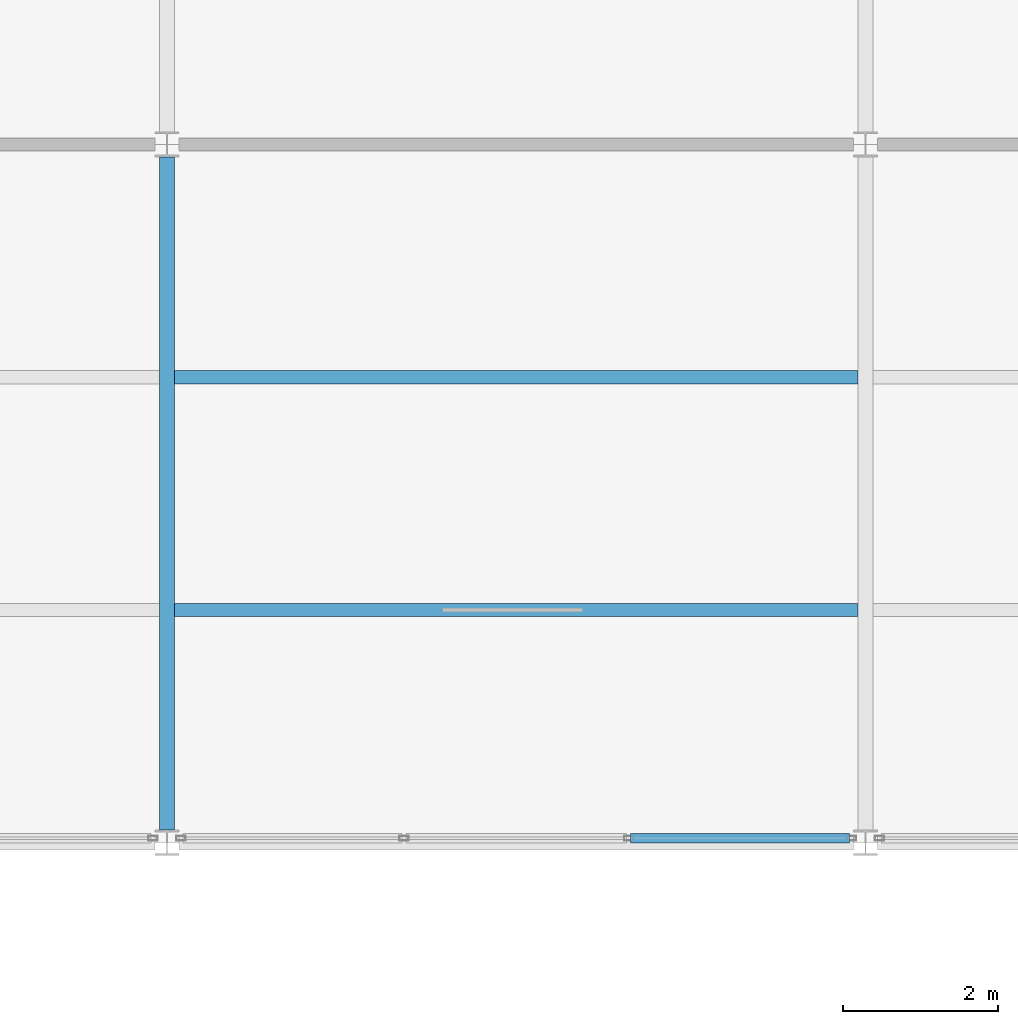
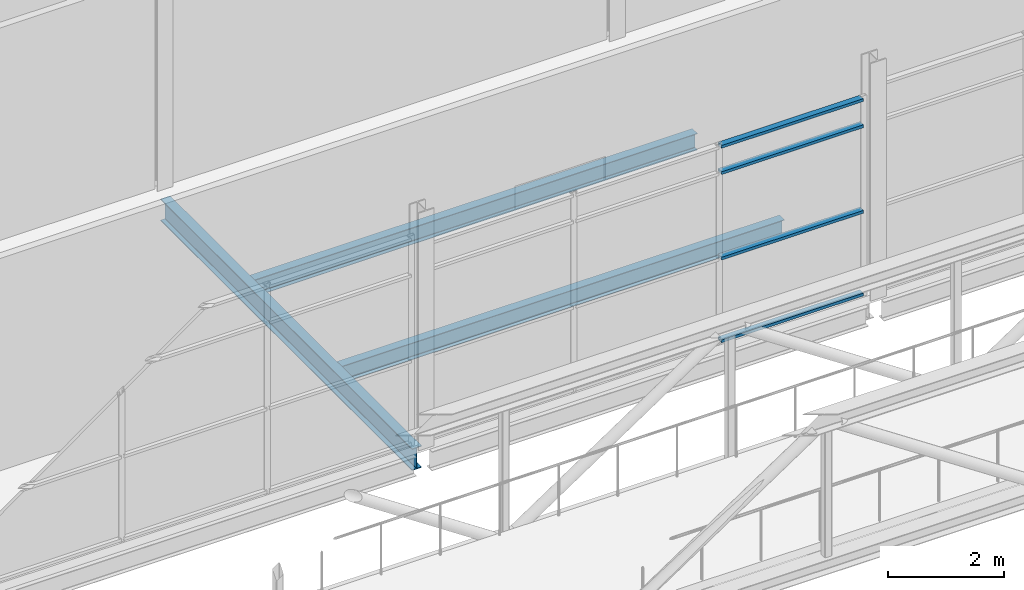
# One storey, part 60 of 115: 4 members, 3 beams, 1 element without a shape of its own.
"""IFC4 building model written with IfcOpenShell, lengths in metres."""

import ifcopenshell
import ifcopenshell.guid

model = None  # the IFC model being written
_history = None  # IfcOwnerHistory: only IFC2X3 demands one
_inside = {}  # id of a spatial element -> (the spatial element, [elements in it])
_under = {}  # id of a project, library or spatial element -> (it, [spatial elements below it])
_declared = {}  # id of a project -> (the project, [libraries it declares])
_typed = {}  # id of a type object -> (the type object, [elements of that type])
_made_of = {}  # id of a material, layer set ... -> (it, [elements and type objects made of it])


def new_model(schema):
    """Start an empty IFC model of exactly this schema.

    Asked for "IFC4X3", IfcOpenShell would pick the latest addendum, in which some entities
    have other attributes; the version numbers below select the first issue.
    IFC2X3 requires an IfcOwnerHistory on every rooted entity: one is made here for all.
    """
    global model, _history
    if schema == "IFC4X3":
        model = ifcopenshell.file(schema_version=(4, 3, 0, 0))
    else:
        model = ifcopenshell.file(schema=schema)
    _inside.clear()
    _under.clear()
    _declared.clear()
    _typed.clear()
    _made_of.clear()
    _history = None
    if model.schema == "IFC2X3":
        org = make("IfcOrganization", Name="unknown")
        user = make(
            "IfcPersonAndOrganization",
            ThePerson=make("IfcPerson", FamilyName="unknown"),
            TheOrganization=org,
        )
        app = make(
            "IfcApplication",
            ApplicationDeveloper=org,
            Version="unknown",
            ApplicationFullName="unknown",
            ApplicationIdentifier="unknown",
        )
        _history = make(
            "IfcOwnerHistory",
            OwningUser=user,
            OwningApplication=app,
            ChangeAction="ADDED",
            CreationDate=0,
        )
    return model


def make(cls, **values):
    """One entity of the class cls with the attributes given. An attribute that is None is left unset."""
    return model.create_entity(
        cls, **{name: value for name, value in values.items() if value is not None}
    )


def rooted(cls, **values):
    """An entity with a GlobalId (a new one), such as an element, a storey or a relation."""
    return make(cls, GlobalId=ifcopenshell.guid.new(), OwnerHistory=_history, **values)


def si_unit(unit_type, name, prefix=None):
    """IfcSIUnit, for example si_unit("LENGTHUNIT", "METRE", prefix="MILLI")."""
    return make("IfcSIUnit", UnitType=unit_type, Prefix=prefix, Name=name)


def assignment(units):
    """IfcUnitAssignment: the units of a project."""
    return None if units is None else make("IfcUnitAssignment", Units=units)


def point(xyz):
    """IfcCartesianPoint."""
    return None if xyz is None else make("IfcCartesianPoint", Coordinates=xyz)


def direction(xyz):
    """IfcDirection."""
    return None if xyz is None else make("IfcDirection", DirectionRatios=xyz)


def frame(location, z_axis=None, x_axis=None):
    """IfcAxis2Placement3D, a coordinate frame: its origin and axes. An axis left out is left unset."""
    return make(
        "IfcAxis2Placement3D",
        Location=point(location),
        Axis=direction(z_axis),
        RefDirection=direction(x_axis),
    )


def frame_2d(location, x_axis=None):
    """IfcAxis2Placement2D, a coordinate frame in the plane: its origin and x axis."""
    return make(
        "IfcAxis2Placement2D", Location=point(location), RefDirection=direction(x_axis)
    )


def origin():
    """The frame at (0, 0, 0) with its axes left unset."""
    return frame((0.0, 0.0, 0.0))


def origin_2d():
    """The frame at (0, 0) in the plane with its x axis left unset."""
    return frame_2d((0.0, 0.0))


def place(relative_to, where):
    """IfcLocalPlacement: puts the frame where relative to a parent placement (None: the world)."""
    return make(
        "IfcLocalPlacement", PlacementRelTo=relative_to, RelativePlacement=where
    )


def context(
    kind, dimensions, precision=None, world=None, true_north=None, identifier=None
):
    """IfcGeometricRepresentationContext, for example the 3D "Model" context."""
    return make(
        "IfcGeometricRepresentationContext",
        ContextIdentifier=identifier,
        ContextType=kind,
        CoordinateSpaceDimension=dimensions,
        Precision=precision,
        WorldCoordinateSystem=world,
        TrueNorth=true_north,
    )


def subcontext(parent, identifier, kind, view, scale=None):
    """IfcGeometricRepresentationSubContext, for example "Body" below "Model"."""
    return make(
        "IfcGeometricRepresentationSubContext",
        ContextIdentifier=identifier,
        ContextType=kind,
        ParentContext=parent,
        TargetScale=scale,
        TargetView=view,
    )


def project(units=None, contexts=None):
    """IfcProject with its units and contexts."""
    return rooted(
        "IfcProject",
        Name="project",
        RepresentationContexts=contexts,
        UnitsInContext=assignment(units),
    )


def spatial(cls, under=None, at=None, **own):
    """A site, building, storey or space (cls), placed at a placement, below another one or the project."""
    s = rooted(cls, ObjectPlacement=at, **own)
    if under is not None:
        _under.setdefault(under.id(), (under, []))[1].append(s)
    return s


def profile(cls, at=None, kind="AREA", **sizes):
    """A parametric profile (cls). Its sizes go by their IFC names, for example OverallWidth=200.0."""
    return make(cls, ProfileType=kind, Position=at, **sizes)


def hollow_rectangle(**sizes):
    """IfcRectangleHollowProfileDef."""
    return profile("IfcRectangleHollowProfileDef", **sizes)


def i_section(**sizes):
    """IfcIShapeProfileDef."""
    return profile("IfcIShapeProfileDef", **sizes)


def extrude(swept, where, along, depth):
    """IfcExtrudedAreaSolid: the profile swept, set in the frame where, extruded along a direction by depth."""
    return make(
        "IfcExtrudedAreaSolid",
        SweptArea=swept,
        Position=where,
        ExtrudedDirection=direction(along),
        Depth=depth,
    )


def shape(context_of_items, identifier, shape_type, items):
    """IfcShapeRepresentation: the items that make up one representation, for example the "Body"."""
    return make(
        "IfcShapeRepresentation",
        ContextOfItems=context_of_items,
        RepresentationIdentifier=identifier,
        RepresentationType=shape_type,
        Items=items,
    )


def material(Name=None, Category=None):
    """IfcMaterial."""
    return make("IfcMaterial", Name=Name, Category=Category)


def layer(
    of_material, thickness, ventilated=None, Name=None, Category=None, Priority=None
):
    """IfcMaterialLayer: one layer of a wall or slab, of a material (None: an air gap)."""
    return make(
        "IfcMaterialLayer",
        Material=of_material,
        LayerThickness=thickness,
        IsVentilated=ventilated,
        Name=Name,
        Category=Category,
        Priority=Priority,
    )


def layer_set(layers, Name=None):
    """IfcMaterialLayerSet."""
    return make("IfcMaterialLayerSet", MaterialLayers=layers, LayerSetName=Name)


def material_profile(
    of_material, cross_section, Name=None, Category=None, Priority=None
):
    """IfcMaterialProfile: a cross section and its material."""
    return make(
        "IfcMaterialProfile",
        Name=Name,
        Material=of_material,
        Profile=cross_section,
        Priority=Priority,
        Category=Category,
    )


def profile_set(profiles, Name=None, composite=None):
    """IfcMaterialProfileSet."""
    return make(
        "IfcMaterialProfileSet",
        Name=Name,
        MaterialProfiles=profiles,
        CompositeProfile=composite,
    )


def made_of(thing, what):
    """Note that an element or type object is made of a material, layer set ...; save() writes the relation."""
    if what is not None:
        _made_of.setdefault(what.id(), (what, []))[1].append(thing)
    return thing


def type_object(cls, material=None, **own):
    """A type object (cls), such as IfcWallType, which elements share."""
    return made_of(rooted(cls, **own), material)


def element(
    cls,
    number,
    at=None,
    inside=None,
    cuts=None,
    type_object=None,
    material=None,
    context=None,
    identifier="Body",
    shape_type=None,
    held_by="IfcProductDefinitionShape",
    body=None,
    shapes=None,
    **own,
):
    """One element of the class cls, such as IfcWall. Its Tag is "e" and its number.

    at: its placement. inside: the storey or other place that contains it. cuts: it is an
    opening in that element (IfcRelVoidsElement). A single representation is given by context,
    identifier, shape_type and body (its items); several are given by shapes. held_by: the class
    of the entity that holds the representations. save() writes the other relations.
    """
    e = rooted(cls, Tag="e%d" % number, ObjectPlacement=at, **own)
    if body is not None:
        shapes = [shape(context, identifier, shape_type, body)]
    if shapes is not None:
        e.Representation = make(held_by, Representations=shapes)
    if inside is not None:
        _inside.setdefault(inside.id(), (inside, []))[1].append(e)
    if cuts is not None:
        rooted(
            "IfcRelVoidsElement", RelatingBuildingElement=cuts, RelatedOpeningElement=e
        )
    if type_object is not None:
        _typed.setdefault(type_object.id(), (type_object, []))[1].append(e)
    return made_of(e, material)


def aggregate(whole, parts):
    """IfcRelAggregates: a whole, such as a stair, and the parts it consists of."""
    return rooted("IfcRelAggregates", RelatingObject=whole, RelatedObjects=parts)


def save(model, path):
    """Write the relations noted so far, then the file.

    IfcRelAggregates (storeys below a building ...), IfcRelContainedInSpatialStructure (elements
    in a storey), IfcRelDefinesByType, IfcRelAssociatesMaterial and IfcRelDeclares: one each for
    every whole, place, type object, material and project.
    """
    for whole, parts in _under.values():
        aggregate(whole, parts)
    for where, things in _inside.values():
        rooted(
            "IfcRelContainedInSpatialStructure",
            RelatedElements=things,
            RelatingStructure=where,
        )
    for kind, things in _typed.values():
        rooted("IfcRelDefinesByType", RelatedObjects=things, RelatingType=kind)
    for what, things in _made_of.values():
        rooted("IfcRelAssociatesMaterial", RelatedObjects=things, RelatingMaterial=what)
    for by, libraries in _declared.values():
        rooted("IfcRelDeclares", RelatingContext=by, RelatedDefinitions=libraries)
    model.write(path)


model = new_model("IFC4")

# Units and contexts
model_context = context("Model", 3, precision=1e-05, world=origin(), true_north=direction((0.0, 1.0)))
body_context = subcontext(model_context, "Body", "Model", "MODEL_VIEW")
ifc_project = project(units=[si_unit("LENGTHUNIT", "METRE"), si_unit("AREAUNIT", "SQUARE_METRE"), si_unit("VOLUMEUNIT", "CUBIC_METRE"), si_unit("PLANEANGLEUNIT", "RADIAN"), si_unit("MASSUNIT", "GRAM", prefix="KILO")], contexts=[model_context])

# Site, building, storey
site_placement = place(None, origin())
site = spatial("IfcSite", under=ifc_project, at=site_placement, CompositionType="ELEMENT")
building_placement = place(site_placement, origin())
building = spatial("IfcBuilding", under=site, at=building_placement, Name="Shorebreak Coast Museum", CompositionType="ELEMENT")
storey_placement = place(building_placement, frame((0.0, 0.0, 11.0)))
storey = spatial("IfcBuildingStorey", under=building, at=storey_placement, Name="L02", CompositionType="ELEMENT", Elevation=11.0)

# Beams
ifc_material_1 = material(Name="Steel Grade 300", Category="steel")
ifc_material_profile_1 = material_profile(ifc_material_1, i_section(OverallWidth=0.19091796875, OverallDepth=0.46044921875, WebThickness=0.010009765625, FlangeThickness=0.01611328125, FilletRadius=0.011474609375, at=origin_2d()), Name="460UB82.1")
ifc_profile_set_1 = profile_set([ifc_material_profile_1], Name="Steel Grade 300")
beam_type_1 = type_object("IfcBeamType", Name="Floor girder north-south 460UB82.1", PredefinedType="BEAM", material=ifc_profile_set_1)
beam_placement = place(storey_placement, frame((81.0, 81.16357421875, -0.4052734375), z_axis=(0.0, 1.0, 0.0), x_axis=(-1.0, 0.0, 0.0)))
element("IfcBeam", 1, at=beam_placement, inside=storey, type_object=beam_type_1, Name="Floor girder north-south L02 10K", PredefinedType="BEAM", context=body_context, shape_type="SweptSolid", body=[
    extrude(i_section(OverallWidth=0.19091796875, OverallDepth=0.46044921875, WebThickness=0.010009765625, FlangeThickness=0.01611328125, FilletRadius=0.011474609375, at=origin_2d()), origin(), (0.0, 0.0, 1.0), 8.6728515625),
])
ifc_material_2 = material(Name="Steel Grade 300", Category="steel")
ifc_material_profile_2 = material_profile(ifc_material_2, i_section(OverallWidth=0.1708984375, OverallDepth=0.35205078125, WebThickness=0.0068359375, FlangeThickness=0.009765625, FilletRadius=0.011474609375, at=origin_2d()), Name="360UB44.7")
ifc_profile_set_2 = profile_set([ifc_material_profile_2], Name="Steel Grade 300")
beam_type_2 = type_object("IfcBeamType", Name="Floor joist 360UB44.7", PredefinedType="JOIST", material=ifc_profile_set_2)
for number, where, z_axis, x_axis, name in (
    (2, (81.095458984375, 84.0, -0.35107421875), (1.0, 0.0, 0.0), (0.0, 1.0, 0.0), "Floor joist L02 bay 10K at 3000 mm"),
    (3, (81.095458984375, 87.0, -0.35107421875), (1.0, 0.0, 0.0), (0.0, 1.0, 0.0), "Floor joist L02 bay 10K at 6000 mm"),
):
    element("IfcBeam", number, at=place(storey_placement, frame(where, z_axis=z_axis, x_axis=x_axis)), inside=storey, type_object=beam_type_2, Name=name, PredefinedType="JOIST", context=body_context, shape_type="SweptSolid", body=[
        extrude(i_section(OverallWidth=0.1708984375, OverallDepth=0.35205078125, WebThickness=0.0068359375, FlangeThickness=0.009765625, FilletRadius=0.011474609375, at=origin_2d()), origin(), (0.0, 0.0, 1.0), 8.80908203125),
    ])

# Curtain wall, members
ifc_material_3 = material(Name="Aluminium", Category="aluminium")
ifc_layer = layer(ifc_material_3, 0.1201171875)
ifc_layer_set = layer_set([ifc_layer], Name="Aluminium")
curtain_wall_type = type_object("IfcCurtainWallType", Name="Atrium fire screen", PredefinedType="NOTDEFINED", material=ifc_layer_set)
curtain_wall_placement = place(storey_placement, origin())
curtain_wall = element("IfcCurtainWall", 4, at=curtain_wall_placement, inside=storey, type_object=curtain_wall_type, Name="Atrium screen L02 N 24", PredefinedType="NOTDEFINED")
ifc_material_4 = material(Name="Aluminium", Category="aluminium")
ifc_material_profile_3 = material_profile(ifc_material_4, hollow_rectangle(XDim=0.1201171875, YDim=0.06005859375, WallThickness=0.00341796875, at=origin_2d()), Name="AL 60x120 RHS")
ifc_profile_set_3 = profile_set([ifc_material_profile_3], Name="Aluminium")
member_type = type_object("IfcMemberType", Name="Screen transom 120 x 50", PredefinedType="USERDEFINED", material=ifc_profile_set_3)
member_1_placement = place(storey_placement, frame((86.97314453125, 81.06005859375, 0.06005859375), z_axis=(1.0, 0.0, 0.0), x_axis=(0.0, 1.0, 0.0)))
member_1 = element("IfcMember", 5, at=member_1_placement, type_object=member_type, Name="CW4 transom 3.1", ObjectType="TRANSOM", PredefinedType="USERDEFINED", context=body_context, shape_type="SweptSolid", body=[
    extrude(hollow_rectangle(XDim=0.1201171875, YDim=0.06005859375, WallThickness=0.00341796875, at=origin_2d()), origin(), (0.0, 0.0, 1.0), 2.8212890625),
])
member_2_placement = place(storey_placement, frame((86.97314453125, 81.06005859375, 1.800048828125), z_axis=(1.0, 0.0, 0.0), x_axis=(0.0, 1.0, 0.0)))
member_2 = element("IfcMember", 6, at=member_2_placement, type_object=member_type, Name="CW4 transom 3.2", ObjectType="TRANSOM", PredefinedType="USERDEFINED", context=body_context, shape_type="SweptSolid", body=[
    extrude(hollow_rectangle(XDim=0.1201171875, YDim=0.06005859375, WallThickness=0.00341796875, at=origin_2d()), origin(), (0.0, 0.0, 1.0), 2.8212890625),
])
member_3_placement = place(storey_placement, frame((86.97314453125, 81.06005859375, 3.60009765625), z_axis=(1.0, 0.0, 0.0), x_axis=(0.0, 1.0, 0.0)))
member_3 = element("IfcMember", 7, at=member_3_placement, type_object=member_type, Name="CW4 transom 3.3", ObjectType="TRANSOM", PredefinedType="USERDEFINED", context=body_context, shape_type="SweptSolid", body=[
    extrude(hollow_rectangle(XDim=0.1201171875, YDim=0.06005859375, WallThickness=0.00341796875, at=origin_2d()), origin(), (0.0, 0.0, 1.0), 2.8212890625),
])
member_4_placement = place(storey_placement, frame((86.97314453125, 81.06005859375, 4.153076171875), z_axis=(1.0, 0.0, 0.0), x_axis=(0.0, 1.0, 0.0)))
member_4 = element("IfcMember", 8, at=member_4_placement, type_object=member_type, Name="CW4 transom 3.4", ObjectType="TRANSOM", PredefinedType="USERDEFINED", context=body_context, shape_type="SweptSolid", body=[
    extrude(hollow_rectangle(XDim=0.1201171875, YDim=0.06005859375, WallThickness=0.00341796875, at=origin_2d()), origin(), (0.0, 0.0, 1.0), 2.8212890625),
])
aggregate(curtain_wall, [member_1, member_2, member_3, member_4])

save(model, "model.ifc")
